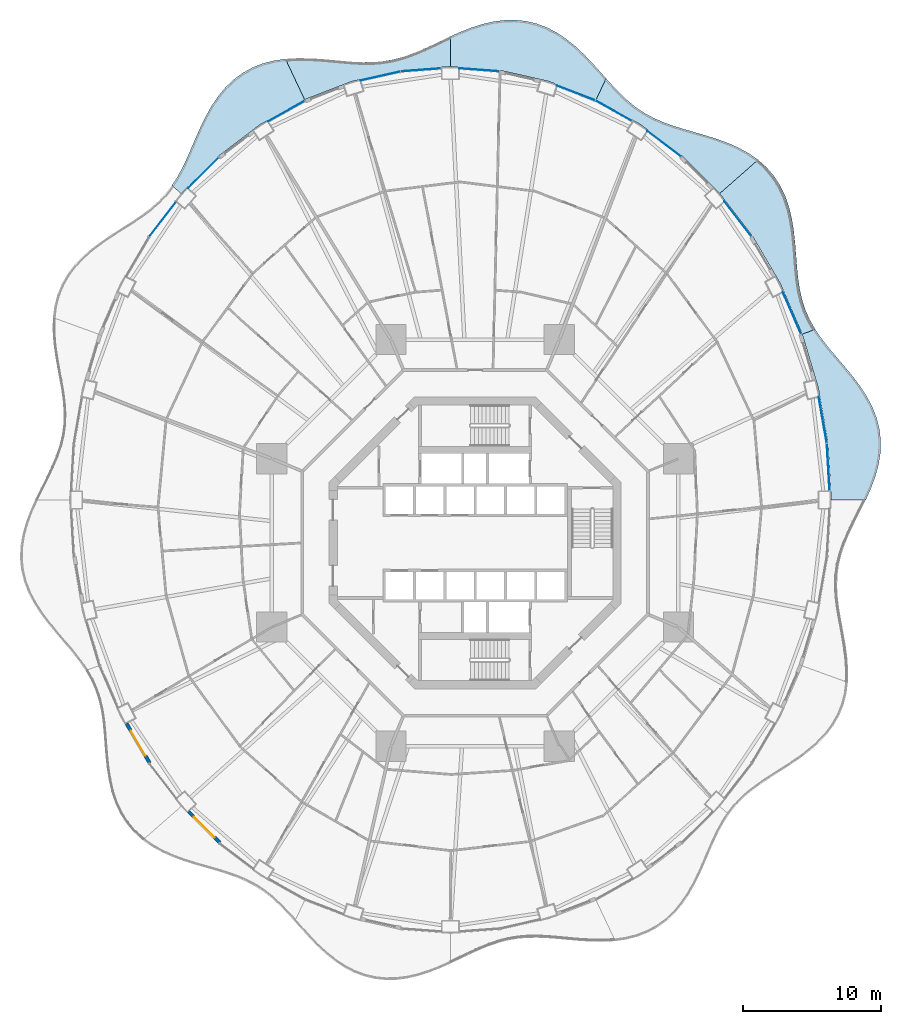
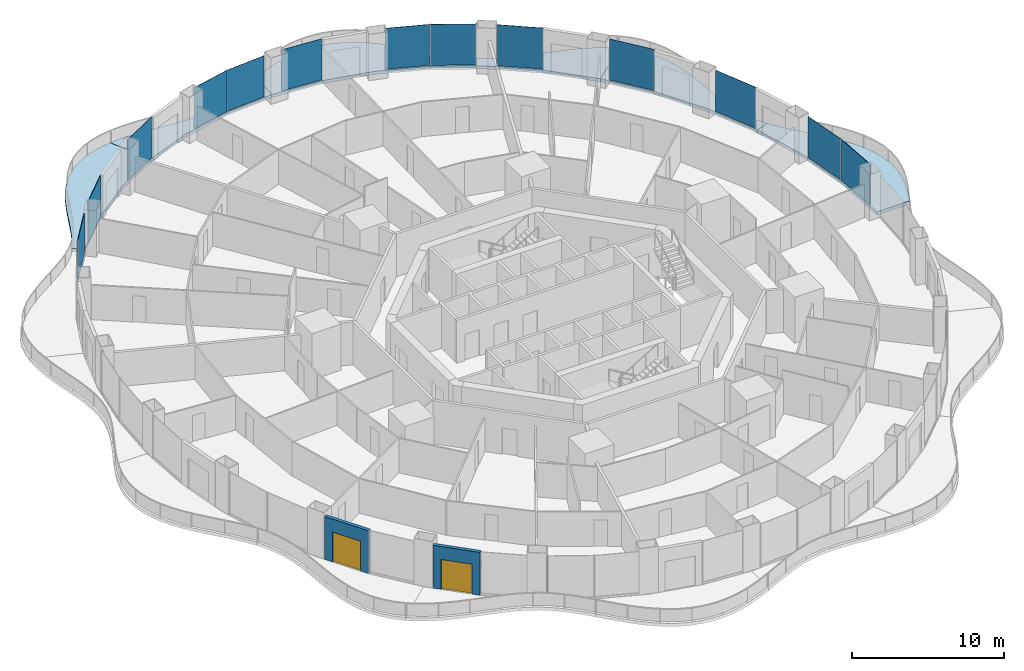
# One storey, part 13 of 22: 13 plates, 6 slabs, 2 doors, 2 walls, 2 openings, 13 elements without a shape of their own.
"""IFC4 building model written with IfcOpenShell, lengths in metres."""

from ifc_helpers import new_model, si_unit, direction, frame, frame_2d, origin, origin_2d, place, context, subcontext, project, spatial, polyline, rectangle, outline, extrude, material, layer, layer_set, type_object, element, fill, aggregate, save


model = new_model("IFC4")

# Units and contexts
model_context = context("Model", 3, precision=1e-05, world=origin(), true_north=direction((0.0, 1.0)))
body_context = subcontext(model_context, "Body", "Model", "MODEL_VIEW")
ifc_project = project(units=[si_unit("LENGTHUNIT", "METRE"), si_unit("AREAUNIT", "SQUARE_METRE"), si_unit("VOLUMEUNIT", "CUBIC_METRE"), si_unit("PLANEANGLEUNIT", "RADIAN"), si_unit("MASSUNIT", "GRAM", prefix="KILO")], contexts=[model_context])

# Site, building, storey
site_placement = place(None, origin())
site = spatial("IfcSite", under=ifc_project, at=site_placement, CompositionType="ELEMENT")
building_placement = place(site_placement, origin())
building = spatial("IfcBuilding", under=site, at=building_placement, Name="Nagisa Residences", CompositionType="ELEMENT")
storey_placement = place(building_placement, frame((0.0, 0.0, 95.5)))
storey = spatial("IfcBuildingStorey", under=building, at=storey_placement, Name="L23", CompositionType="ELEMENT", Elevation=95.5)

# Slabs
ifc_material_1 = material(Name="Concrete C40/50", Category="concrete")
ifc_layer_1 = layer(ifc_material_1, 0.25)
ifc_layer_set_1 = layer_set([ifc_layer_1], Name="BALCONY SLAB 250")
slab_type = type_object("IfcSlabType", Name="BALCONY SLAB 250", PredefinedType="FLOOR", material=ifc_layer_set_1)
slab_1_placement = place(storey_placement, frame((0.0, 0.0, -0.25)))
element("IfcSlab", 1, at=slab_1_placement, inside=storey, type_object=slab_type, Name="slab:L23:bal00", PredefinedType="FLOOR", context=body_context, shape_type="SweptSolid", body=[
    extrude(outline(polyline([(28.40185546875, 3.11767578125), (28.7705078125, 3.948486328125), (29.085205078125, 4.793701171875), (29.32275390625, 5.649169921875), (29.464111328125, 6.5087890625), (29.49560546875, 7.3662109375), (29.409912109375, 8.2138671875), (29.207275390625, 9.044921875), (28.893798828125, 9.853759765625), (28.482666015625, 10.635986328125), (27.99267578125, 11.39013671875), (27.44580078125, 12.1162109375), (26.867431640625, 12.818115234375), (26.28369140625, 13.5009765625), (25.71875, 14.1728515625), (25.19482421875, 14.843017578125), (24.729248046875, 15.52099609375), (23.786865234375, 15.177978515625), (24.951416015625, 11.2744140625), (25.657958984375, 7.231201171875), (25.89501953125, 3.11767578125), (28.40185546875, 3.11767578125)])), origin(), (0.0, 0.0, 1.0), 0.25),
])
slab_2_placement = place(storey_placement, frame((0.0, 0.0, -0.25)))
element("IfcSlab", 2, at=slab_2_placement, inside=storey, type_object=slab_type, Name="slab:L23:bal01", PredefinedType="FLOOR", context=body_context, shape_type="SweptSolid", body=[
    extrude(outline(polyline([(24.729248046875, 15.52099609375), (24.345458984375, 16.19482421875), (24.033203125, 16.893310546875), (23.7919921875, 17.6220703125), (23.615478515625, 18.385009765625), (23.492431640625, 19.182861328125), (23.406982421875, 20.012939453125), (23.34033203125, 20.869873046875), (23.27099609375, 21.744873046875), (23.177978515625, 22.62646484375), (23.040771484375, 23.50146484375), (22.841552734375, 24.35546875), (22.565673828125, 25.173828125), (22.203369140625, 25.943115234375), (21.74951171875, 26.651611328125), (21.204833984375, 27.29052734375), (20.57421875, 27.854736328125), (17.783203125, 25.402099609375), (20.171875, 22.302734375), (22.1845703125, 18.875244140625), (23.786865234375, 15.177978515625), (24.729248046875, 15.52099609375)])), origin(), (0.0, 0.0, 1.0), 0.25),
])
slab_3_placement = place(storey_placement, frame((0.0, 0.0, -0.25)))
element("IfcSlab", 3, at=slab_3_placement, inside=storey, type_object=slab_type, Name="slab:L23:bal02", PredefinedType="FLOOR", context=body_context, shape_type="SweptSolid", body=[
    extrude(outline(polyline([(20.57421875, 27.854736328125), (19.902587890625, 28.322265625), (19.174072265625, 28.723876953125), (18.402587890625, 29.06640625), (17.603759765625, 29.359375), (16.79345703125, 29.615478515625), (15.986083984375, 29.849365234375), (15.1953125, 30.076904296875), (14.431640625, 30.314208984375), (13.703125, 30.576171875), (13.013671875, 30.876220703125), (12.364013671875, 31.224365234375), (11.75146484375, 31.62744140625), (11.169921875, 32.087890625), (10.611572265625, 32.603515625), (10.06591796875, 33.16748046875), (9.52197265625, 33.768798828125), (8.79833984375, 32.233642578125), (12.047607421875, 30.410400390625), (15.0595703125, 28.1201171875), (17.783203125, 25.402099609375), (20.57421875, 27.854736328125)])), origin(), (0.0, 0.0, 1.0), 0.25),
])
slab_4_placement = place(storey_placement, frame((0.0, 0.0, -0.25)))
element("IfcSlab", 4, at=slab_4_placement, inside=storey, type_object=slab_type, Name="slab:L23:bal03", PredefinedType="FLOOR", context=body_context, shape_type="SweptSolid", body=[
    extrude(outline(polyline([(9.52197265625, 33.768798828125), (8.9892578125, 34.370361328125), (8.43896484375, 34.976806640625), (7.86328125, 35.571044921875), (7.256591796875, 36.134765625), (6.614990234375, 36.64990234375), (5.937255859375, 37.100341796875), (5.224853515625, 37.4716796875), (4.481201171875, 37.7529296875), (3.711669921875, 37.93701171875), (2.923095703125, 38.021484375), (2.123046875, 38.008056640625), (1.319580078125, 37.9033203125), (0.519775390625, 37.71728515625), (-0.269775390625, 37.46435546875), (-1.0439453125, 37.1611328125), (-1.800048828125, 36.825927734375), (-1.800048828125, 34.6328125), (1.81494140625, 34.363037109375), (5.367919921875, 33.558837890625), (8.79833984375, 32.233642578125), (9.52197265625, 33.768798828125)])), origin(), (0.0, 0.0, 1.0), 0.25),
])
slab_5_placement = place(storey_placement, frame((0.0, 0.0, -0.25)))
element("IfcSlab", 5, at=slab_5_placement, inside=storey, type_object=slab_type, Name="slab:L23:bal04", PredefinedType="FLOOR", context=body_context, shape_type="SweptSolid", body=[
    extrude(outline(polyline([(-1.800048828125, 36.825927734375), (-2.536865234375, 36.47802734375), (-3.255615234375, 36.13623046875), (-3.959228515625, 35.81787109375), (-4.65234375, 35.537109375), (-5.34130859375, 35.305419921875), (-6.031982421875, 35.130126953125), (-6.73095703125, 35.013916015625), (-7.4443359375, 34.955078125), (-8.1767578125, 34.947509765625), (-8.9306640625, 34.9814453125), (-9.70703125, 35.043212890625), (-10.50439453125, 35.117431640625), (-11.318603515625, 35.186767578125), (-12.1435546875, 35.233154296875), (-12.971435546875, 35.23974609375), (-13.792236328125, 35.191162109375), (-12.3984375, 32.233642578125), (-8.968017578125, 33.558837890625), (-5.4150390625, 34.363037109375), (-1.800048828125, 34.6328125), (-1.800048828125, 36.825927734375)])), origin(), (0.0, 0.0, 1.0), 0.25),
])
slab_6_placement = place(storey_placement, frame((0.0, 0.0, -0.25)))
element("IfcSlab", 6, at=slab_6_placement, inside=storey, type_object=slab_type, Name="slab:L23:bal05", PredefinedType="FLOOR", context=body_context, shape_type="SweptSolid", body=[
    extrude(outline(polyline([(-13.792236328125, 35.191162109375), (-14.6259765625, 35.068115234375), (-15.429443359375, 34.8603515625), (-16.19189453125, 34.5615234375), (-16.904052734375, 34.16943359375), (-17.558837890625, 33.686767578125), (-18.152099609375, 33.12060546875), (-18.683349609375, 32.48193359375), (-19.1552734375, 31.7841796875), (-19.573974609375, 31.0439453125), (-19.949462890625, 30.278076171875), (-20.293701171875, 29.503662109375), (-20.62060546875, 28.737060546875), (-20.945068359375, 27.9921875), (-21.282470703125, 27.28076171875), (-21.646240234375, 26.610595703125), (-22.04833984375, 25.986572265625), (-21.38330078125, 25.402099609375), (-18.65966796875, 28.1201171875), (-15.6474609375, 30.410400390625), (-12.3984375, 32.233642578125), (-13.792236328125, 35.191162109375)])), origin(), (0.0, 0.0, 1.0), 0.25),
])

# Curtain wall, plate
ifc_material_2 = material(Name="Concrete-coloured aluminium curtain wall system", Category="concrete")
ifc_layer_2 = layer(ifc_material_2, 0.159912109375)
ifc_layer_set_2 = layer_set([ifc_layer_2], Name="CW1 CURTAIN WALL")
curtain_wall_type = type_object("IfcCurtainWallType", Name="CW1 CURTAIN WALL", PredefinedType="NOTDEFINED", material=ifc_layer_set_2)
curtain_wall_1_placement = place(storey_placement, origin())
curtain_wall_1 = element("IfcCurtainWall", 7, at=curtain_wall_1_placement, inside=storey, type_object=curtain_wall_type, Name="cw:CW1:L23:00", PredefinedType="NOTDEFINED")
ifc_material_3 = material(Name="Clear laminated glass", Category="glass")
ifc_layer_3 = layer(ifc_material_3, 0.028076171875)
ifc_layer_set_3 = layer_set([ifc_layer_3], Name="CW1 GLASS PANEL")
plate_type = type_object("IfcPlateType", Name="CW1 GLASS PANEL", PredefinedType="CURTAIN_PANEL", material=ifc_layer_set_3)
plate_1_placement = place(storey_placement, frame((25.67626953125, 5.524169921875, 0.14990234375), z_axis=(0.0, 0.0, 1.0), x_axis=(-0.057503492216, 0.998345305184, 0.0)))
plate_1 = element("IfcPlate", 8, at=plate_1_placement, type_object=plate_type, Name="CW1 panel", PredefinedType="CURTAIN_PANEL", context=body_context, shape_type="SweptSolid", body=[
    extrude(rectangle(XDim=3.410400390625, YDim=0.028076171875, at=origin_2d()), origin(), (0.0, 0.0, 1.0), 3.2900390625),
])
aggregate(curtain_wall_1, [plate_1])

curtain_wall_2_placement = place(storey_placement, origin())
curtain_wall_2 = element("IfcCurtainWall", 9, at=curtain_wall_2_placement, inside=storey, type_object=curtain_wall_type, Name="cw:CW1:L23:01", PredefinedType="NOTDEFINED")
plate_2_placement = place(storey_placement, frame((25.276611328125, 8.948486328125, 0.14990234375), z_axis=(0.0, 0.0, 1.0), x_axis=(-0.172190868898, 0.985063604377, 0.0)))
plate_2 = element("IfcPlate", 10, at=plate_2_placement, type_object=plate_type, Name="CW1 panel", PredefinedType="CURTAIN_PANEL", context=body_context, shape_type="SweptSolid", body=[
    extrude(rectangle(XDim=3.39453125, YDim=0.028076171875, at=origin_2d()), origin(), (0.0, 0.0, 1.0), 3.2900390625),
])
aggregate(curtain_wall_2, [plate_2])

curtain_wall_3_placement = place(storey_placement, origin())
curtain_wall_3 = element("IfcCurtainWall", 11, at=curtain_wall_3_placement, inside=storey, type_object=curtain_wall_type, Name="cw:CW1:L23:03", PredefinedType="NOTDEFINED")
plate_3_placement = place(storey_placement, frame((23.029541015625, 16.72412109375, 0.14990234375), z_axis=(0.0, 0.0, 1.0), x_axis=(-0.397635934147, 0.917543276295, 0.0)))
plate_3 = element("IfcPlate", 12, at=plate_3_placement, type_object=plate_type, Name="CW1 panel", PredefinedType="CURTAIN_PANEL", context=body_context, shape_type="SweptSolid", body=[
    extrude(rectangle(XDim=3.319580078125, YDim=0.028076171875, at=origin_2d()), origin(), (0.0, 0.0, 1.0), 3.2900390625),
])
aggregate(curtain_wall_3, [plate_3])

curtain_wall_4_placement = place(storey_placement, origin())
curtain_wall_4 = element("IfcCurtainWall", 13, at=curtain_wall_4_placement, inside=storey, type_object=curtain_wall_type, Name="cw:CW1:L23:05", PredefinedType="NOTDEFINED")
plate_4_placement = place(storey_placement, frame((19.09423828125, 23.570068359375, 0.14990234375), z_axis=(0.0, 0.0, 1.0), x_axis=(-0.610429828235, 0.792070340816, 0.0)))
plate_4 = element("IfcPlate", 14, at=plate_4_placement, type_object=plate_type, Name="CW1 panel", PredefinedType="CURTAIN_PANEL", context=body_context, shape_type="SweptSolid", body=[
    extrude(rectangle(XDim=3.202880859375, YDim=0.028076171875, at=origin_2d()), origin(), (0.0, 0.0, 1.0), 3.2900390625),
])
aggregate(curtain_wall_4, [plate_4])

curtain_wall_5_placement = place(storey_placement, origin())
curtain_wall_5 = element("IfcCurtainWall", 15, at=curtain_wall_5_placement, inside=storey, type_object=curtain_wall_type, Name="cw:CW1:L23:07", PredefinedType="NOTDEFINED")
plate_5_placement = place(storey_placement, frame((13.739990234375, 29.023193359375, 0.14990234375), z_axis=(0.0, 0.0, 1.0), x_axis=(-0.79603132756, 0.605255421737, 0.0)))
plate_5 = element("IfcPlate", 16, at=plate_5_placement, type_object=plate_type, Name="CW1 panel", PredefinedType="CURTAIN_PANEL", context=body_context, shape_type="SweptSolid", body=[
    extrude(rectangle(XDim=3.073974609375, YDim=0.028076171875, at=origin_2d()), origin(), (0.0, 0.0, 1.0), 3.2900390625),
])
aggregate(curtain_wall_5, [plate_5])

curtain_wall_6_placement = place(storey_placement, origin())
curtain_wall_6 = element("IfcCurtainWall", 17, at=curtain_wall_6_placement, inside=storey, type_object=curtain_wall_type, Name="cw:CW1:L23:08", PredefinedType="NOTDEFINED")
plate_6_placement = place(storey_placement, frame((10.07421875, 31.426025390625, 0.14990234375), z_axis=(0.0, 0.0, 1.0), x_axis=(-0.872072377523, 0.489376918501, 0.0)))
plate_6 = element("IfcPlate", 18, at=plate_6_placement, type_object=plate_type, Name="CW1 panel", PredefinedType="CURTAIN_PANEL", context=body_context, shape_type="SweptSolid", body=[
    extrude(rectangle(XDim=3.015625, YDim=0.028076171875, at=origin_2d()), origin(), (0.0, 0.0, 1.0), 3.2900390625),
])
aggregate(curtain_wall_6, [plate_6])

curtain_wall_7_placement = place(storey_placement, origin())
curtain_wall_7 = element("IfcCurtainWall", 19, at=curtain_wall_7_placement, inside=storey, type_object=curtain_wall_type, Name="cw:CW1:L23:09", PredefinedType="NOTDEFINED")
plate_7_placement = place(storey_placement, frame((7.32958984375, 32.71533203125, 0.14990234375), z_axis=(0.0, 0.0, 1.0), x_axis=(-0.932825759707, 0.360327770268, 0.0)))
plate_7 = element("IfcPlate", 20, at=plate_7_placement, type_object=plate_type, Name="CW1 panel", PredefinedType="CURTAIN_PANEL", context=body_context, shape_type="SweptSolid", body=[
    extrude(rectangle(XDim=2.967529296875, YDim=0.028076171875, at=origin_2d()), origin(), (0.0, 0.0, 1.0), 3.2900390625),
])
aggregate(curtain_wall_7, [plate_7])

curtain_wall_8_placement = place(storey_placement, origin())
curtain_wall_8 = element("IfcCurtainWall", 21, at=curtain_wall_8_placement, inside=storey, type_object=curtain_wall_type, Name="cw:CW1:L23:11", PredefinedType="NOTDEFINED")
plate_8_placement = place(storey_placement, frame((0.295654296875, 34.396240234375, 0.14990234375), z_axis=(0.0, 0.0, 1.0), x_axis=(-0.997230168512, 0.074377355493, 0.0)))
plate_8 = element("IfcPlate", 22, at=plate_8_placement, type_object=plate_type, Name="CW1 panel", PredefinedType="CURTAIN_PANEL", context=body_context, shape_type="SweptSolid", body=[
    extrude(rectangle(XDim=2.9150390625, YDim=0.028076171875, at=origin_2d()), origin(), (0.0, 0.0, 1.0), 3.2900390625),
])
aggregate(curtain_wall_8, [plate_8])

curtain_wall_9_placement = place(storey_placement, origin())
curtain_wall_9 = element("IfcCurtainWall", 23, at=curtain_wall_9_placement, inside=storey, type_object=curtain_wall_type, Name="cw:CW1:L23:12", PredefinedType="NOTDEFINED")
plate_9_placement = place(storey_placement, frame((-3.95556640625, 34.3916015625, 0.14990234375), z_axis=(0.0, 0.0, 1.0), x_axis=(-0.997230168512, -0.074377355493, 0.0)))
plate_9 = element("IfcPlate", 24, at=plate_9_placement, type_object=plate_type, Name="CW1 panel", PredefinedType="CURTAIN_PANEL", context=body_context, shape_type="SweptSolid", body=[
    extrude(rectangle(XDim=2.9150390625, YDim=0.028076171875, at=origin_2d()), origin(), (0.0, 0.0, 1.0), 3.2900390625),
])
aggregate(curtain_wall_9, [plate_9])

curtain_wall_10_placement = place(storey_placement, origin())
curtain_wall_10 = element("IfcCurtainWall", 25, at=curtain_wall_10_placement, inside=storey, type_object=curtain_wall_type, Name="cw:CW1:L23:13", PredefinedType="NOTDEFINED")
plate_10_placement = place(storey_placement, frame((-6.885986328125, 33.947998046875, 0.14990234375), z_axis=(0.0, 0.0, 1.0), x_axis=(-0.975327274089, -0.2207639201, 0.0)))
plate_10 = element("IfcPlate", 26, at=plate_10_placement, type_object=plate_type, Name="CW1 panel", PredefinedType="CURTAIN_PANEL", context=body_context, shape_type="SweptSolid", body=[
    extrude(rectangle(XDim=2.932861328125, YDim=0.028076171875, at=origin_2d()), origin(), (0.0, 0.0, 1.0), 3.2900390625),
])
aggregate(curtain_wall_10, [plate_10])

curtain_wall_11_placement = place(storey_placement, origin())
curtain_wall_11 = element("IfcCurtainWall", 27, at=curtain_wall_11_placement, inside=storey, type_object=curtain_wall_type, Name="cw:CW1:L23:15", PredefinedType="NOTDEFINED")
plate_11_placement = place(storey_placement, frame((-13.7265625, 31.396728515625, 0.14990234375), z_axis=(0.0, 0.0, 1.0), x_axis=(-0.872072377523, -0.489376918501, 0.0)))
plate_11 = element("IfcPlate", 28, at=plate_11_placement, type_object=plate_type, Name="CW1 panel", PredefinedType="CURTAIN_PANEL", context=body_context, shape_type="SweptSolid", body=[
    extrude(rectangle(XDim=3.015625, YDim=0.028076171875, at=origin_2d()), origin(), (0.0, 0.0, 1.0), 3.2900390625),
])
aggregate(curtain_wall_11, [plate_11])

curtain_wall_12_placement = place(storey_placement, origin())
curtain_wall_12 = element("IfcCurtainWall", 29, at=curtain_wall_12_placement, inside=storey, type_object=curtain_wall_type, Name="cw:CW1:L23:17", PredefinedType="NOTDEFINED")
plate_12_placement = place(storey_placement, frame((-19.756103515625, 26.912841796875, 0.14990234375), z_axis=(0.0, 0.0, 1.0), x_axis=(-0.707835924016, -0.706376885714, 0.0)))
plate_12 = element("IfcPlate", 30, at=plate_12_placement, type_object=plate_type, Name="CW1 panel", PredefinedType="CURTAIN_PANEL", context=body_context, shape_type="SweptSolid", body=[
    extrude(rectangle(XDim=3.137939453125, YDim=0.028076171875, at=origin_2d()), origin(), (0.0, 0.0, 1.0), 3.2900390625),
])
aggregate(curtain_wall_12, [plate_12])

curtain_wall_13_placement = place(storey_placement, origin())
curtain_wall_13 = element("IfcCurtainWall", 31, at=curtain_wall_13_placement, inside=storey, type_object=curtain_wall_type, Name="cw:CW1:L23:18", PredefinedType="NOTDEFINED")
plate_13_placement = place(storey_placement, frame((-22.73095703125, 23.5224609375, 0.14990234375), z_axis=(0.0, 0.0, 1.0), x_axis=(-0.610429828235, -0.792070340816, 0.0)))
plate_13 = element("IfcPlate", 32, at=plate_13_placement, type_object=plate_type, Name="CW1 panel", PredefinedType="CURTAIN_PANEL", context=body_context, shape_type="SweptSolid", body=[
    extrude(rectangle(XDim=3.202880859375, YDim=0.028076171875, at=origin_2d()), origin(), (0.0, 0.0, 1.0), 3.2900390625),
])
aggregate(curtain_wall_13, [plate_13])

# Wall, opening, door
ifc_material_4 = material(Name="Precast concrete C40/50", Category="concrete")
ifc_layer_4 = layer(ifc_material_4, 0.25)
ifc_layer_set_4 = layer_set([ifc_layer_4], Name="BALCONY DOOR WALL 250")
wall_type = type_object("IfcWallType", Name="BALCONY DOOR WALL 250", PredefinedType="SOLIDWALL", material=ifc_layer_set_4)
wall_1_placement = place(storey_placement, frame((-23.6640625, -16.004150390625, 0.0), z_axis=(0.0, 0.0, 1.0), x_axis=(-0.506352525095, 0.86232657406, 0.0)))
wall_1 = element("IfcWall", 33, at=wall_1_placement, inside=storey, type_object=wall_type, Name="wall:L23:bay28", PredefinedType="SOLIDWALL", context=body_context, shape_type="SweptSolid", body=[
    extrude(rectangle(XDim=3.324951171875, YDim=0.25, at=frame_2d((1.66259765625, 0.0))), origin(), (0.0, 0.0, 1.0), 3.43994140625),
])
opening_1_placement = place(wall_1_placement, frame((0.6123046875, 0.0, 0.0)))
opening_1 = element("IfcOpeningElement", 34, at=opening_1_placement, cuts=wall_1, Name="Opening BD-L23-10", PredefinedType="OPENING", context=body_context, shape_type="SweptSolid", body=[
    extrude(rectangle(XDim=2.10009765625, YDim=2.39990234375, at=frame_2d((1.050048828125, 1.199951171875))), frame((0.0, 0.135009765625, 0.0), z_axis=(0.0, -1.0, 0.0), x_axis=(1.0, 0.0, 0.0)), (0.0, 0.0, 1.0), 0.27001953125),
])
ifc_material_5 = material(Name="Aluminium and clear glass", Category="aluminium")
door_type = type_object("IfcDoorType", Name="BALCONY SLIDING DOOR 2100x2400", OperationType="SLIDING_TO_LEFT", PredefinedType="DOOR", material=ifc_material_5)
door_1_placement = place(opening_1_placement, origin())
door_1 = element("IfcDoor", 35, at=door_1_placement, inside=storey, type_object=door_type, Name="door:L23:bay28", OperationType="SLIDING_TO_LEFT", OverallHeight=2.39990234375, OverallWidth=2.10009765625, PredefinedType="DOOR", context=body_context, shape_type="SweptSolid", body=[
    extrude(rectangle(XDim=2.10009765625, YDim=2.39990234375, at=frame_2d((1.050048828125, 1.199951171875))), frame((0.0, 0.02490234375, 0.0), z_axis=(0.0, -1.0, 0.0), x_axis=(1.0, 0.0, 0.0)), (0.0, 0.0, 1.0), 0.050048828125),
])
fill(opening_1, door_1)

wall_2_placement = place(storey_placement, frame((-18.5712890625, -21.79638671875, 0.0), z_axis=(0.0, 0.0, 1.0), x_axis=(-0.707831646613, 0.706381171927, 0.0)))
wall_2 = element("IfcWall", 36, at=wall_2_placement, inside=storey, type_object=wall_type, Name="wall:L23:bay30", PredefinedType="SOLIDWALL", context=body_context, shape_type="SweptSolid", body=[
    extrude(rectangle(XDim=3.197998046875, YDim=0.25, at=frame_2d((1.59912109375, 0.0))), origin(), (0.0, 0.0, 1.0), 3.43994140625),
])
opening_2_placement = place(wall_2_placement, frame((0.548828125, 0.0, 0.0)))
opening_2 = element("IfcOpeningElement", 37, at=opening_2_placement, cuts=wall_2, Name="Opening BD-L23-11", PredefinedType="OPENING", context=body_context, shape_type="SweptSolid", body=[
    extrude(rectangle(XDim=2.10009765625, YDim=2.39990234375, at=frame_2d((1.050048828125, 1.199951171875))), frame((0.0, 0.135009765625, 0.0), z_axis=(0.0, -1.0, 0.0), x_axis=(1.0, 0.0, 0.0)), (0.0, 0.0, 1.0), 0.27001953125),
])
door_2_placement = place(opening_2_placement, origin())
door_2 = element("IfcDoor", 38, at=door_2_placement, inside=storey, type_object=door_type, Name="door:L23:bay30", OperationType="SLIDING_TO_LEFT", OverallHeight=2.39990234375, OverallWidth=2.10009765625, PredefinedType="DOOR", context=body_context, shape_type="SweptSolid", body=[
    extrude(rectangle(XDim=2.10009765625, YDim=2.39990234375, at=frame_2d((1.050048828125, 1.199951171875))), frame((0.0, 0.02490234375, 0.0), z_axis=(0.0, -1.0, 0.0), x_axis=(1.0, 0.0, 0.0)), (0.0, 0.0, 1.0), 0.050048828125),
])
fill(opening_2, door_2)

save(model, "model.ifc")
